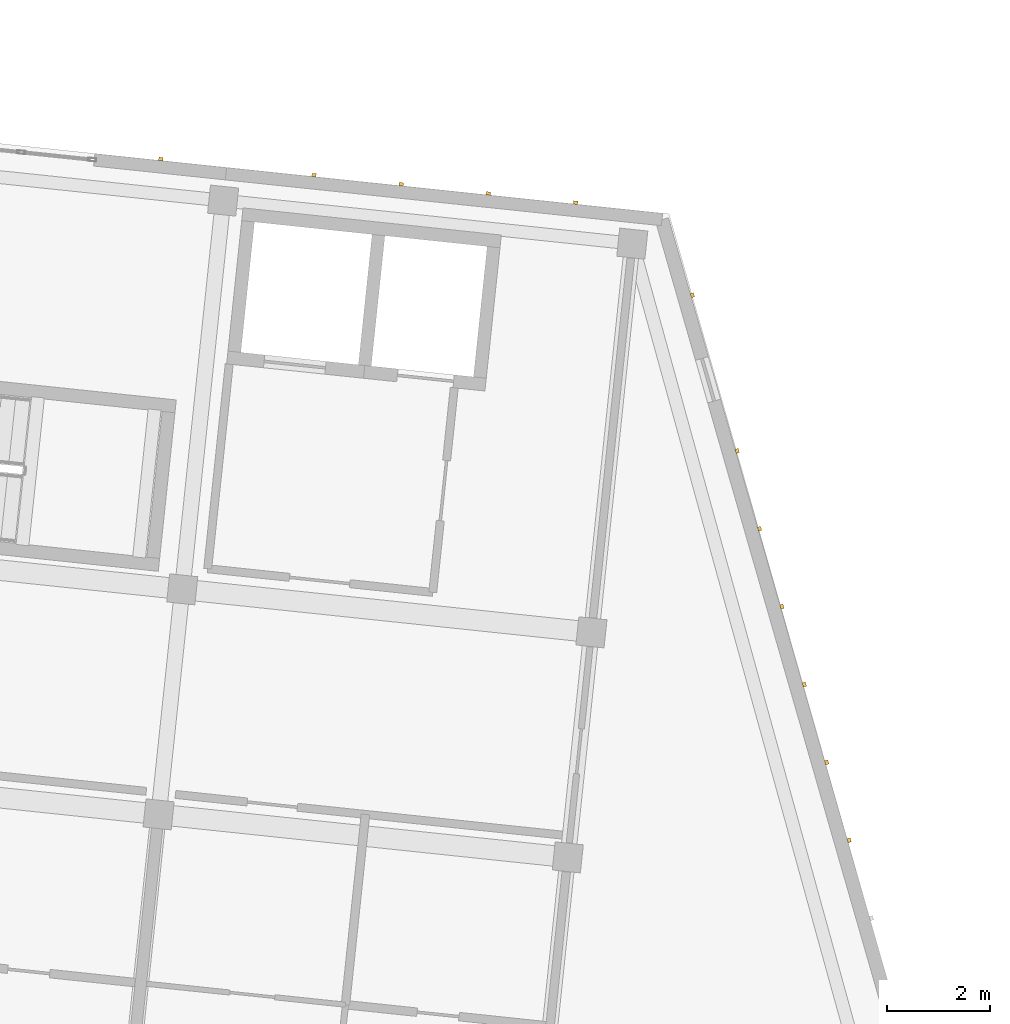
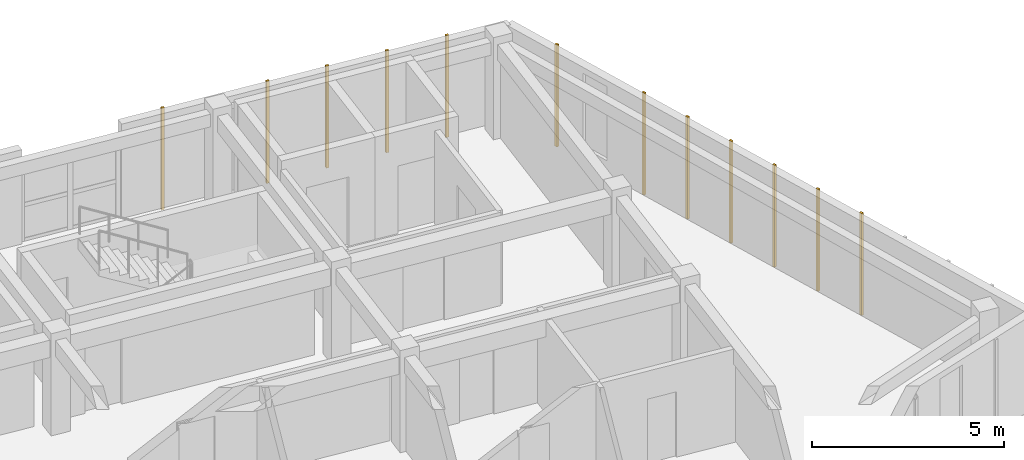
# One storey, part 65 of 65: 12 coverings.
"""IFC4 building model written with IfcOpenShell, lengths in metres."""

from ifc_helpers import new_model, si_unit, direction, frame, origin, origin_2d, place, context, subcontext, project, spatial, rectangle, extrude, material, layer, layer_set, type_object, element, save


model = new_model("IFC4")

# Units and contexts
model_context = context("Model", 3, precision=1e-05, world=origin(), true_north=direction((0.0, 1.0)))
body_context = subcontext(model_context, "Body", "Model", "MODEL_VIEW")
ifc_project = project(units=[si_unit("LENGTHUNIT", "METRE"), si_unit("AREAUNIT", "SQUARE_METRE"), si_unit("VOLUMEUNIT", "CUBIC_METRE"), si_unit("PLANEANGLEUNIT", "RADIAN"), si_unit("MASSUNIT", "GRAM", prefix="KILO")], contexts=[model_context])

# Site, building, storey
site_placement = place(None, origin())
site = spatial("IfcSite", under=ifc_project, at=site_placement, CompositionType="ELEMENT")
building_placement = place(site_placement, origin())
building = spatial("IfcBuilding", under=site, at=building_placement, Name="Kestramere Prow Commons", CompositionType="ELEMENT")
storey_placement = place(building_placement, frame((0.0, 0.0, 21.39990234375)))
storey = spatial("IfcBuildingStorey", under=building, at=storey_placement, Name="L06", CompositionType="ELEMENT", Elevation=21.39990234375)

# Coverings
ifc_material = material(Name="Weathered Zinc-Titanium Standing-Seam Cladding")
ifc_layer = layer(ifc_material, 0.074951171875)
ifc_layer_set = layer_set([ifc_layer], Name="Weathered Zinc-Titanium Standing-Seam Cladding")
covering_type = type_object("IfcCoveringType", Name="COV-CLAD-SEAM", PredefinedType="CLADDING", material=ifc_layer_set)
for number, where, z_axis, x_axis, name in (
    (1, (150.6201171875, 110.919921875, -0.25), (0.0, 0.0, 1.0), (0.994521895368, -0.104528463268, 0.0), "EW-B-L06-NP-4-R Standing-Seam Rib 1"),
    (2, (153.59619140625, 110.607177734375, -0.25), (0.0, 0.0, 1.0), (0.994521895368, -0.104528463268, 0.0), "EW-B-L06-N-5 Standing-Seam Rib 1"),
    (3, (155.291748046875, 110.428955078125, -0.25), (0.0, 0.0, 1.0), (0.994521895368, -0.104528463268, 0.0), "EW-B-L06-N-5 Standing-Seam Rib 2"),
    (4, (156.987548828125, 110.250732421875, -0.25), (0.0, 0.0, 1.0), (0.994521895368, -0.104528463268, 0.0), "EW-B-L06-N-5 Standing-Seam Rib 3"),
    (5, (158.68310546875, 110.072509765625, -0.25), (0.0, 0.0, 1.0), (0.994521895368, -0.104528463268, 0.0), "EW-B-L06-N-5 Standing-Seam Rib 4"),
    (6, (160.954345703125, 108.273193359375, -0.25), (0.0, 0.0, 1.0), (0.27631844013, -0.961066136977, 0.0), "EW-B-L06-PRW-N Standing-Seam Rib 1"),
    (7, (161.824951171875, 105.24462890625, -0.25), (0.0, 0.0, 1.0), (0.27631844013, -0.961066136977, 0.0), "EW-B-L06-PRW-N Standing-Seam Rib 3"),
    (8, (162.260498046875, 103.73046875, -0.25), (0.0, 0.0, 1.0), (0.27631844013, -0.961066136977, 0.0), "EW-B-L06-PRW-N Standing-Seam Rib 4"),
    (9, (162.69580078125, 102.21630859375, -0.25), (0.0, 0.0, 1.0), (0.27631844013, -0.961066136977, 0.0), "EW-B-L06-PRW-N Standing-Seam Rib 5"),
    (10, (163.131103515625, 100.7021484375, -0.25), (0.0, 0.0, 1.0), (0.27631844013, -0.961066136977, 0.0), "EW-B-L06-PRW-N Standing-Seam Rib 6"),
    (11, (163.56640625, 99.18798828125, -0.25), (0.0, 0.0, 1.0), (0.27631844013, -0.961066136977, 0.0), "EW-B-L06-PRW-N Standing-Seam Rib 7"),
    (12, (164.001708984375, 97.673583984375, -0.25), (0.0, 0.0, 1.0), (0.27631844013, -0.961066136977, 0.0), "EW-B-L06-PRW-N Standing-Seam Rib 8"),
):
    element("IfcCovering", number, at=place(storey_placement, frame(where, z_axis=z_axis, x_axis=x_axis)), inside=storey, type_object=covering_type, Name=name, PredefinedType="CLADDING", context=body_context, shape_type="SweptSolid", body=[
        extrude(rectangle(XDim=0.0849609375, YDim=0.06494140625, at=origin_2d()), origin(), (0.0, 0.0, 1.0), 3.25),
    ])

save(model, "model.ifc")
